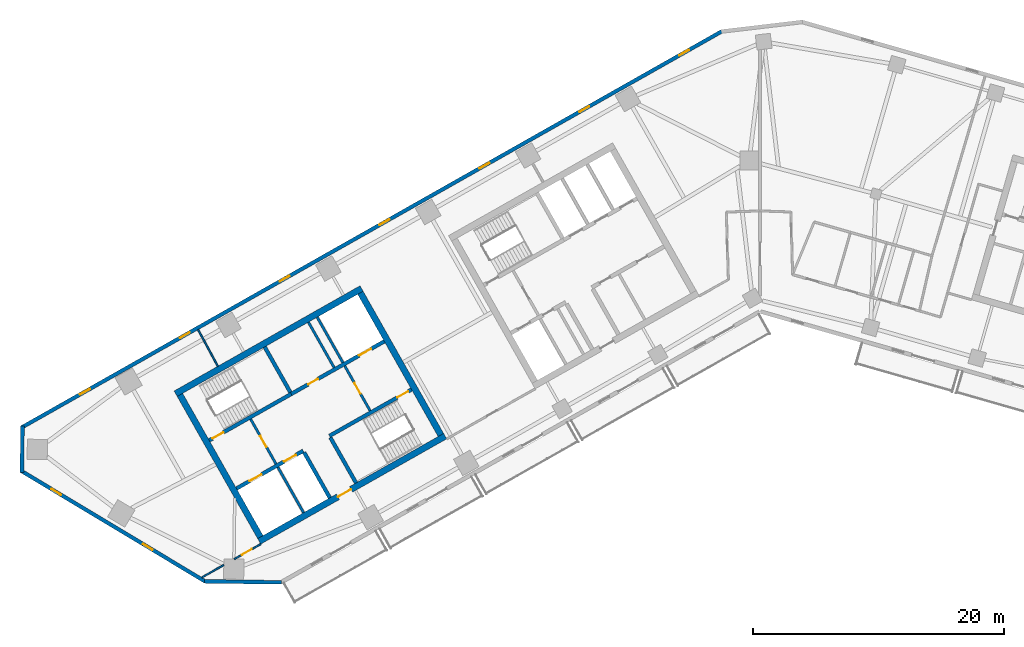
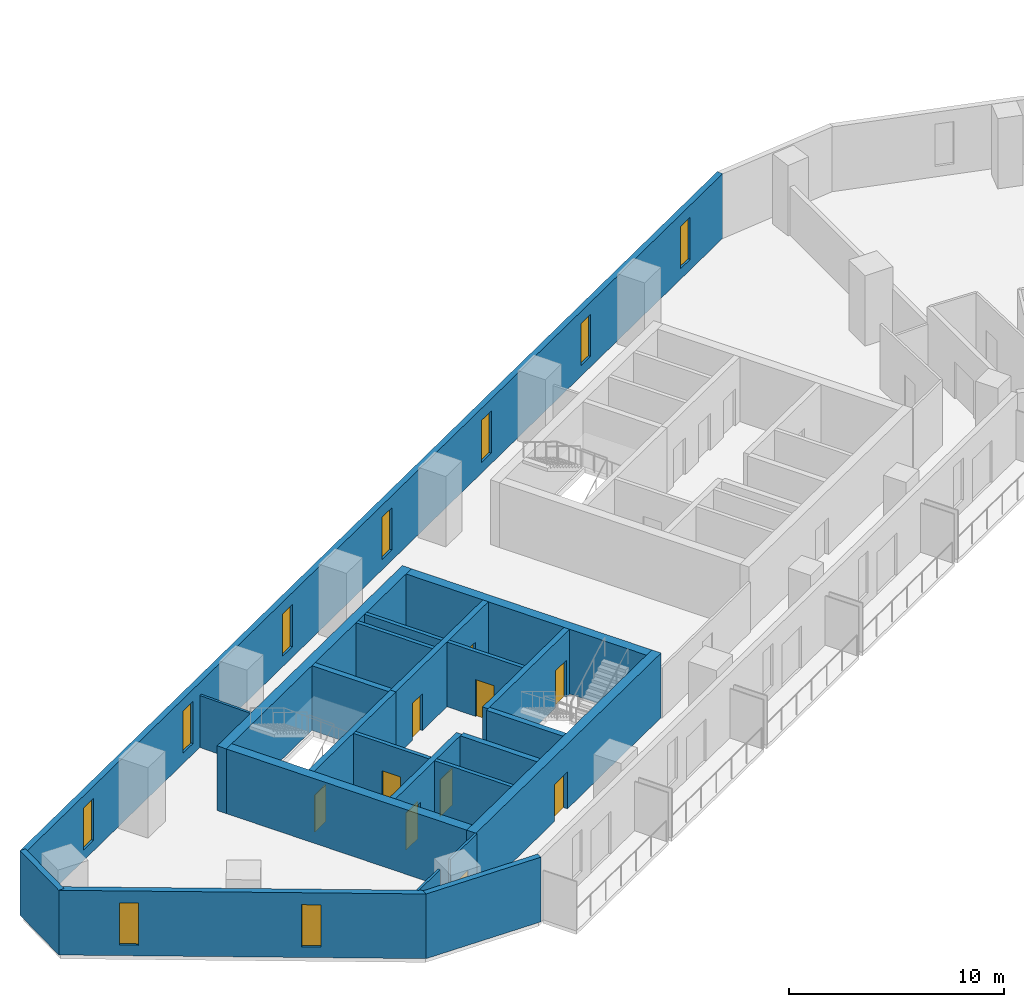
# One storey, part 3 of 9: 23 walls, 10 doors, 9 windows, 19 openings.
"""IFC4 building model written with IfcOpenShell, lengths in metres."""

from ifc_helpers import new_model, si_unit, direction, frame, frame_2d, origin, place, context, subcontext, project, spatial, rectangle, extrude, material, layer, layer_set, type_object, element, fill, save


model = new_model("IFC4")

# Units and contexts
model_context = context("Model", 3, precision=1e-05, world=origin(), true_north=direction((0.0, 1.0)))
body_context = subcontext(model_context, "Body", "Model", "MODEL_VIEW")
ifc_project = project(units=[si_unit("LENGTHUNIT", "METRE"), si_unit("AREAUNIT", "SQUARE_METRE"), si_unit("VOLUMEUNIT", "CUBIC_METRE"), si_unit("PLANEANGLEUNIT", "RADIAN"), si_unit("MASSUNIT", "GRAM", prefix="KILO")], contexts=[model_context])

# Site, building, storey
site_placement = place(None, origin())
site = spatial("IfcSite", under=ifc_project, at=site_placement, CompositionType="ELEMENT")
building_placement = place(site_placement, origin())
building = spatial("IfcBuilding", under=site, at=building_placement, Name="Binnacle Exchange Tower", CompositionType="ELEMENT")
storey_placement = place(building_placement, frame((0.0, 0.0, 166.89990234375)))
storey = spatial("IfcBuildingStorey", under=building, at=storey_placement, Name="L35", CompositionType="ELEMENT", Elevation=166.89990234375)

# Wall, openings, doors
ifc_material_1 = material(Name="Concrete C70/85", Category="concrete")
ifc_layer_1 = layer(ifc_material_1, 0.300048828125)
ifc_layer_set_1 = layer_set([ifc_layer_1], Name="Core wall - front 300")
wall_type_1 = type_object("IfcWallType", Name="Core wall - front 300", PredefinedType="SOLIDWALL", material=ifc_layer_set_1)
wall_1_placement = place(storey_placement, frame((-41.64306640625, 33.91162109375, 0.0), z_axis=(0.0, 0.0, 1.0), x_axis=(0.870343599782, 0.492444939378, 0.0)))
wall_1 = element("IfcWall", 1, at=wall_1_placement, inside=storey, type_object=wall_type_1, Name="Core wall CRWA2", PredefinedType="SOLIDWALL", context=body_context, shape_type="SweptSolid", body=[
    extrude(rectangle(XDim=6.10009765625, YDim=0.300048828125, at=frame_2d((3.050048828125, 0.0))), origin(), (0.0, 0.0, 1.0), 3.68017578125),
])
opening_1_placement = place(wall_1_placement, frame((1.199951171875, 0.0, 0.0)))
opening_1 = element("IfcOpeningElement", 2, at=opening_1_placement, cuts=wall_1, Name="Opening LD12", PredefinedType="OPENING", context=body_context, shape_type="SweptSolid", body=[
    extrude(rectangle(XDim=1.10009765625, YDim=2.10009765625, at=frame_2d((0.550048828125, 1.050048828125))), frame((0.0, 0.159912109375, 0.0), z_axis=(0.0, -1.0, 0.0), x_axis=(1.0, 0.0, 0.0)), (0.0, 0.0, 1.0), 0.320068359375),
])
opening_2_placement = place(wall_1_placement, frame((4.35009765625, 0.0, 0.0)))
opening_2 = element("IfcOpeningElement", 3, at=opening_2_placement, cuts=wall_1, Name="Opening LD8", PredefinedType="OPENING", context=body_context, shape_type="SweptSolid", body=[
    extrude(rectangle(XDim=1.10009765625, YDim=2.10009765625, at=frame_2d((0.550048828125, 1.050048828125))), frame((0.0, 0.159912109375, 0.0), z_axis=(0.0, -1.0, 0.0), x_axis=(1.0, 0.0, 0.0)), (0.0, 0.0, 1.0), 0.320068359375),
])
ifc_material_2 = material(Name="Steel door leaf", Category="steel")
door_type_1 = type_object("IfcDoorType", Name="Fire door - lift landing 1100", OperationType="NOTDEFINED", PredefinedType="DOOR", material=ifc_material_2)
door_1_placement = place(opening_1_placement, origin())
door_1 = element("IfcDoor", 4, at=door_1_placement, inside=storey, type_object=door_type_1, Name="Landing door LD12 L35", OperationType="DOUBLE_DOOR_SLIDING", OverallHeight=2.10009765625, OverallWidth=1.10009765625, PredefinedType="DOOR", context=body_context, shape_type="SweptSolid", body=[
    extrude(rectangle(XDim=1.10009765625, YDim=2.10009765625, at=frame_2d((0.550048828125, 1.050048828125))), frame((0.0, 0.02490234375, 0.0), z_axis=(0.0, -1.0, 0.0), x_axis=(1.0, 0.0, 0.0)), (0.0, 0.0, 1.0), 0.050048828125),
])
fill(opening_1, door_1)
door_2_placement = place(opening_2_placement, origin())
door_2 = element("IfcDoor", 5, at=door_2_placement, inside=storey, type_object=door_type_1, Name="Landing door LD8 L35", OperationType="DOUBLE_DOOR_SLIDING", OverallHeight=2.10009765625, OverallWidth=1.10009765625, PredefinedType="DOOR", context=body_context, shape_type="SweptSolid", body=[
    extrude(rectangle(XDim=1.10009765625, YDim=2.10009765625, at=frame_2d((0.550048828125, 1.050048828125))), frame((0.0, 0.02490234375, 0.0), z_axis=(0.0, -1.0, 0.0), x_axis=(1.0, 0.0, 0.0)), (0.0, 0.0, 1.0), 0.050048828125),
])
fill(opening_2, door_2)

wall_2_placement = place(storey_placement, frame((-37.281982421875, 41.4345703125, 0.0), z_axis=(0.0, 0.0, 1.0), x_axis=(0.870356271124, 0.492422543467, 0.0)))
wall_2 = element("IfcWall", 6, at=wall_2_placement, inside=storey, type_object=wall_type_1, Name="Core wall CRWA5", PredefinedType="SOLIDWALL", context=body_context, shape_type="SweptSolid", body=[
    extrude(rectangle(XDim=8.5, YDim=0.300048828125, at=frame_2d((4.25, 0.0))), origin(), (0.0, 0.0, 1.0), 3.68017578125),
])
opening_3_placement = place(wall_2_placement, frame((6.199951171875, 0.0, 0.0)))
opening_3 = element("IfcOpeningElement", 7, at=opening_3_placement, cuts=wall_2, Name="Opening LD13", PredefinedType="OPENING", context=body_context, shape_type="SweptSolid", body=[
    extrude(rectangle(XDim=1.10009765625, YDim=2.10009765625, at=frame_2d((0.550048828125, 1.050048828125))), frame((0.0, 0.159912109375, 0.0), z_axis=(0.0, -1.0, 0.0), x_axis=(1.0, 0.0, 0.0)), (0.0, 0.0, 1.0), 0.320068359375),
])
opening_4_placement = place(wall_2_placement, frame((1.550048828125, 0.0, 0.0)))
opening_4 = element("IfcOpeningElement", 8, at=opening_4_placement, cuts=wall_2, Name="Opening DA10", PredefinedType="OPENING", context=body_context, shape_type="SweptSolid", body=[
    extrude(rectangle(XDim=0.89990234375, YDim=2.10009765625, at=frame_2d((0.449951171875, 1.050048828125))), frame((0.0, 0.159912109375, 0.0), z_axis=(0.0, -1.0, 0.0), x_axis=(1.0, 0.0, 0.0)), (0.0, 0.0, 1.0), 0.320068359375),
])
door_3_placement = place(opening_3_placement, origin())
door_3 = element("IfcDoor", 9, at=door_3_placement, inside=storey, type_object=door_type_1, Name="Landing door LD13 L35", OperationType="DOUBLE_DOOR_SLIDING", OverallHeight=2.10009765625, OverallWidth=1.10009765625, PredefinedType="DOOR", context=body_context, shape_type="SweptSolid", body=[
    extrude(rectangle(XDim=1.10009765625, YDim=2.10009765625, at=frame_2d((0.550048828125, 1.050048828125))), frame((0.0, 0.02490234375, 0.0), z_axis=(0.0, -1.0, 0.0), x_axis=(1.0, 0.0, 0.0)), (0.0, 0.0, 1.0), 0.050048828125),
])
fill(opening_3, door_3)
door_type_2 = type_object("IfcDoorType", Name="Fire door 900", OperationType="NOTDEFINED", PredefinedType="DOOR", material=ifc_material_2)
door_4_placement = place(opening_4_placement, origin())
door_4 = element("IfcDoor", 10, at=door_4_placement, inside=storey, type_object=door_type_2, Name="Core room door EQUIPMENT STORE", OperationType="SINGLE_SWING_LEFT", OverallHeight=2.10009765625, OverallWidth=0.89990234375, PredefinedType="DOOR", context=body_context, shape_type="SweptSolid", body=[
    extrude(rectangle(XDim=0.89990234375, YDim=2.10009765625, at=frame_2d((0.449951171875, 1.050048828125))), frame((0.0, 0.02490234375, 0.0), z_axis=(0.0, -1.0, 0.0), x_axis=(1.0, 0.0, 0.0)), (0.0, 0.0, 1.0), 0.050048828125),
])
fill(opening_4, door_4)

# Wall
wall_3_placement = place(storey_placement, frame((-36.260009765625, 36.784912109375, 0.0), z_axis=(0.0, 0.0, 1.0), x_axis=(0.492421666909, -0.870356767055, 0.0)))
element("IfcWall", 11, at=wall_3_placement, inside=storey, type_object=wall_type_1, Name="Core wall CRWA13", PredefinedType="SOLIDWALL", context=body_context, shape_type="SweptSolid", body=[
    extrude(rectangle(XDim=4.14990234375, YDim=0.300048828125, at=frame_2d((2.074951171875, 0.0))), origin(), (0.0, 0.0, 1.0), 3.68017578125),
])

# Wall, opening, door
ifc_layer_2 = layer(ifc_material_1, 0.5)
ifc_layer_set_2 = layer_set([ifc_layer_2], Name="Core wall - outer 500")
wall_type_2 = type_object("IfcWallType", Name="Core wall - outer 500", PredefinedType="SOLIDWALL", material=ifc_layer_set_2)
wall_4_placement = place(storey_placement, frame((-39.837646484375, 29.705322265625, 0.0), z_axis=(0.0, 0.0, 1.0), x_axis=(0.870350116061, 0.492433422375, 0.0)))
wall_4 = element("IfcWall", 12, at=wall_4_placement, inside=storey, type_object=wall_type_2, Name="Core wall CRWA1", PredefinedType="SOLIDWALL", context=body_context, shape_type="SweptSolid", body=[
    extrude(rectangle(XDim=17.0, YDim=0.5, at=frame_2d((8.5, 0.0))), origin(), (0.0, 0.0, 1.0), 3.68017578125),
])
opening_5_placement = place(wall_4_placement, frame((7.199951171875, 0.0, 0.0)))
opening_5 = element("IfcOpeningElement", 13, at=opening_5_placement, cuts=wall_4, Name="Opening DA7", PredefinedType="OPENING", context=body_context, shape_type="SweptSolid", body=[
    extrude(rectangle(XDim=1.199951171875, YDim=2.10009765625, at=frame_2d((0.60009765625, 1.050048828125))), frame((0.0, 0.260009765625, 0.0), z_axis=(0.0, -1.0, 0.0), x_axis=(1.0, 0.0, 0.0)), (0.0, 0.0, 1.0), 0.52001953125),
])
door_type_3 = type_object("IfcDoorType", Name="Fire door 1200", OperationType="NOTDEFINED", PredefinedType="DOOR", material=ifc_material_2)
door_5_placement = place(opening_5_placement, frame((1.199951171875, 0.0, 0.0), z_axis=(0.0, 0.0, 1.0), x_axis=(-1.0, 0.0, 0.0)))
door_5 = element("IfcDoor", 14, at=door_5_placement, inside=storey, type_object=door_type_3, Name="Lift lobby entrance door core A", OperationType="SINGLE_SWING_RIGHT", OverallHeight=2.10009765625, OverallWidth=1.199951171875, PredefinedType="DOOR", context=body_context, shape_type="SweptSolid", body=[
    extrude(rectangle(XDim=1.199951171875, YDim=2.10009765625, at=frame_2d((0.60009765625, 1.050048828125))), frame((0.0, 0.02490234375, 0.0), z_axis=(0.0, -1.0, 0.0), x_axis=(1.0, 0.0, 0.0)), (0.0, 0.0, 1.0), 0.050048828125),
])
fill(opening_5, door_5)

# Walls
wall_5_placement = place(storey_placement, frame((-46.485595703125, 41.455078125, 0.0), z_axis=(0.0, 0.0, 1.0), x_axis=(0.870353598469, 0.492427267353, 0.0)))
element("IfcWall", 15, at=wall_5_placement, inside=storey, type_object=wall_type_2, Name="Core wall CRWA6", PredefinedType="SOLIDWALL", context=body_context, shape_type="SweptSolid", body=[
    extrude(rectangle(XDim=17.000244140625, YDim=0.5, at=frame_2d((8.5, 0.0))), origin(), (0.0, 0.0, 1.0), 3.68017578125),
])
for number, where, z_axis, x_axis, name in (
    (16, (-46.144775390625, 41.360595703125, 0.0), (0.0, 0.0, 1.0), (0.492435316254, -0.870349044525, 0.0), "Core wall CRWA7"),
    (17, (-31.783935546875, 49.485595703125, 0.0), (0.0, 0.0, 1.0), (0.492435316254, -0.870349044525, 0.0), "Core wall CRWA22"),
):
    element("IfcWall", number, at=place(storey_placement, frame(where, z_axis=z_axis, x_axis=x_axis)), inside=storey, type_object=wall_type_2, Name=name, PredefinedType="SOLIDWALL", context=body_context, shape_type="SweptSolid", body=[
        extrude(rectangle(XDim=13.0, YDim=0.5, at=frame_2d((6.5, 0.0))), origin(), (0.0, 0.0, 1.0), 3.68017578125),
    ])

# Wall, opening, door
ifc_layer_3 = layer(ifc_material_1, 0.300048828125)
ifc_layer_set_3 = layer_set([ifc_layer_3], Name="Core wall - stair 300")
wall_type_3 = type_object("IfcWallType", Name="Core wall - stair 300", PredefinedType="SOLIDWALL", material=ifc_layer_set_3)
wall_6_placement = place(storey_placement, frame((-34.2451171875, 38.097412109375, 0.0), z_axis=(0.0, 0.0, 1.0), x_axis=(0.870364520461, 0.492407962489, 0.0)))
wall_6 = element("IfcWall", 18, at=wall_6_placement, inside=storey, type_object=wall_type_3, Name="Core wall CRWA3", PredefinedType="SOLIDWALL", context=body_context, shape_type="SweptSolid", body=[
    extrude(rectangle(XDim=7.5, YDim=0.300048828125, at=frame_2d((3.75, 0.0))), origin(), (0.0, 0.0, 1.0), 3.68017578125),
])
opening_6_placement = place(wall_6_placement, frame((6.199951171875, 0.0, 0.0)))
opening_6 = element("IfcOpeningElement", 19, at=opening_6_placement, cuts=wall_6, Name="Opening DA2", PredefinedType="OPENING", context=body_context, shape_type="SweptSolid", body=[
    extrude(rectangle(XDim=1.0, YDim=2.10009765625, at=frame_2d((0.5, 1.050048828125))), frame((0.0, 0.159912109375, 0.0), z_axis=(0.0, -1.0, 0.0), x_axis=(1.0, 0.0, 0.0)), (0.0, 0.0, 1.0), 0.320068359375),
])
door_type_4 = type_object("IfcDoorType", Name="Fire door 1000", OperationType="NOTDEFINED", PredefinedType="DOOR", material=ifc_material_2)
door_6_placement = place(opening_6_placement, frame((1.0, 0.0, 0.0), z_axis=(0.0, 0.0, 1.0), x_axis=(-1.0, 0.0, 0.0)))
door_6 = element("IfcDoor", 20, at=door_6_placement, inside=storey, type_object=door_type_4, Name="Stair door ST-A2", OperationType="SINGLE_SWING_LEFT", OverallHeight=2.10009765625, OverallWidth=1.0, PredefinedType="DOOR", context=body_context, shape_type="SweptSolid", body=[
    extrude(rectangle(XDim=1.0, YDim=2.10009765625, at=frame_2d((0.5, 1.050048828125))), frame((0.0, 0.02490234375, 0.0), z_axis=(0.0, -1.0, 0.0), x_axis=(1.0, 0.0, 0.0)), (0.0, 0.0, 1.0), 0.050048828125),
])
fill(opening_6, door_6)

wall_7_placement = place(storey_placement, frame((-43.809814453125, 37.7412109375, 0.0), z_axis=(0.0, 0.0, 1.0), x_axis=(0.870350569555, 0.492432620848, 0.0)))
wall_7 = element("IfcWall", 21, at=wall_7_placement, inside=storey, type_object=wall_type_3, Name="Core wall CRWA4", PredefinedType="SOLIDWALL", context=body_context, shape_type="SweptSolid", body=[
    extrude(rectangle(XDim=7.500244140625, YDim=0.300048828125, at=frame_2d((3.75, 0.0))), origin(), (0.0, 0.0, 1.0), 3.68017578125),
])
opening_7_placement = place(wall_7_placement, frame((0.2998046875, 0.0, 0.0)))
opening_7 = element("IfcOpeningElement", 22, at=opening_7_placement, cuts=wall_7, Name="Opening DA1", PredefinedType="OPENING", context=body_context, shape_type="SweptSolid", body=[
    extrude(rectangle(XDim=1.0, YDim=2.10009765625, at=frame_2d((0.5, 1.050048828125))), frame((0.0, 0.159912109375, 0.0), z_axis=(0.0, -1.0, 0.0), x_axis=(1.0, 0.0, 0.0)), (0.0, 0.0, 1.0), 0.320068359375),
])
door_7_placement = place(opening_7_placement, origin())
door_7 = element("IfcDoor", 23, at=door_7_placement, inside=storey, type_object=door_type_4, Name="Stair door ST-A1", OperationType="SINGLE_SWING_LEFT", OverallHeight=2.10009765625, OverallWidth=1.0, PredefinedType="DOOR", context=body_context, shape_type="SweptSolid", body=[
    extrude(rectangle(XDim=1.0, YDim=2.10009765625, at=frame_2d((0.5, 1.050048828125))), frame((0.0, 0.02490234375, 0.0), z_axis=(0.0, -1.0, 0.0), x_axis=(1.0, 0.0, 0.0)), (0.0, 0.0, 1.0), 0.050048828125),
])
fill(opening_7, door_7)

# Walls
for number, where, z_axis, x_axis, name in (
    (24, (-39.3994140625, 45.177001953125, 0.0), (0.0, 0.0, 1.0), (0.492396453737, -0.870371031427, 0.0), "Core wall CRWA14"),
    (25, (-34.171142578125, 37.966796875, 0.0), (0.0, 0.0, 1.0), (0.492396453737, -0.870371031427, 0.0), "Core wall CRWA16"),
):
    element("IfcWall", number, at=place(storey_placement, frame(where, z_axis=z_axis, x_axis=x_axis)), inside=storey, type_object=wall_type_3, Name=name, PredefinedType="SOLIDWALL", context=body_context, shape_type="SweptSolid", body=[
        extrude(rectangle(XDim=4.14990234375, YDim=0.300048828125, at=frame_2d((2.074951171875, 0.0))), origin(), (0.0, 0.0, 1.0), 3.68017578125),
    ])
ifc_material_3 = material(Name="Bronze aluminium cladding", Category="aluminium")
ifc_layer_4 = layer(ifc_material_3, 0.300048828125)
ifc_layer_set_4 = layer_set([ifc_layer_4], Name="External wall - spandrel 300")
wall_type_4 = type_object("IfcWallType", Name="External wall - spandrel 300", PredefinedType="STANDARD", material=ifc_layer_set_4)
wall_8_placement = place(storey_placement, frame((-38.057373046875, 26.44482421875, 0.0), z_axis=(0.0, 0.0, 1.0), x_axis=(-0.999914086342, 0.013108010296, 0.0)))
element("IfcWall", 26, at=wall_8_placement, inside=storey, type_object=wall_type_4, Name="External wall EW-G00 L35", PredefinedType="STANDARD", context=body_context, shape_type="SweptSolid", body=[
    extrude(rectangle(XDim=6.127685546875, YDim=0.300048828125, at=frame_2d((3.06396484375, 0.0))), origin(), (0.0, 0.0, 1.0), 3.68017578125),
])

# Wall, openings, windows
wall_9_placement = place(storey_placement, frame((-58.744873046875, 38.763671875, 0.0), z_axis=(0.0, 0.0, 1.0), x_axis=(0.870355811726, 0.492423355453, 0.0)))
wall_9 = element("IfcWall", 27, at=wall_9_placement, inside=storey, type_object=wall_type_4, Name="External wall EW-G08 L35", PredefinedType="STANDARD", context=body_context, shape_type="SweptSolid", body=[
    extrude(rectangle(XDim=64.025390625, YDim=0.300048828125, at=frame_2d((32.0126953125, 0.0))), origin(), (0.0, 0.0, 1.0), 3.68017578125),
])
opening_8_placement = place(wall_9_placement, frame((60.12158203125, 0.0, 0.60009765625)))
opening_8 = element("IfcOpeningElement", 28, at=opening_8_placement, cuts=wall_9, Name="Opening WS3", PredefinedType="OPENING", context=body_context, shape_type="SweptSolid", body=[
    extrude(rectangle(XDim=0.89990234375, YDim=2.39990234375, at=frame_2d((0.449951171875, 1.199951171875))), frame((0.0, 0.159912109375, 0.0), z_axis=(0.0, -1.0, 0.0), x_axis=(1.0, 0.0, 0.0)), (0.0, 0.0, 1.0), 0.320068359375),
])
opening_9_placement = place(wall_9_placement, frame((50.99169921875, 0.0, 0.60009765625)))
opening_9 = element("IfcOpeningElement", 29, at=opening_9_placement, cuts=wall_9, Name="Opening WS3", PredefinedType="OPENING", context=body_context, shape_type="SweptSolid", body=[
    extrude(rectangle(XDim=0.89990234375, YDim=2.39990234375, at=frame_2d((0.449951171875, 1.199951171875))), frame((0.0, 0.159912109375, 0.0), z_axis=(0.0, -1.0, 0.0), x_axis=(1.0, 0.0, 0.0)), (0.0, 0.0, 1.0), 0.320068359375),
])
opening_10_placement = place(wall_9_placement, frame((41.86181640625, 0.0, 0.60009765625)))
opening_10 = element("IfcOpeningElement", 30, at=opening_10_placement, cuts=wall_9, Name="Opening WS3", PredefinedType="OPENING", context=body_context, shape_type="SweptSolid", body=[
    extrude(rectangle(XDim=0.89990234375, YDim=2.39990234375, at=frame_2d((0.449951171875, 1.199951171875))), frame((0.0, 0.159912109375, 0.0), z_axis=(0.0, -1.0, 0.0), x_axis=(1.0, 0.0, 0.0)), (0.0, 0.0, 1.0), 0.320068359375),
])
opening_11_placement = place(wall_9_placement, frame((32.73193359375, 0.0, 0.60009765625)))
opening_11 = element("IfcOpeningElement", 31, at=opening_11_placement, cuts=wall_9, Name="Opening WS3", PredefinedType="OPENING", context=body_context, shape_type="SweptSolid", body=[
    extrude(rectangle(XDim=0.89990234375, YDim=2.39990234375, at=frame_2d((0.449951171875, 1.199951171875))), frame((0.0, 0.159912109375, 0.0), z_axis=(0.0, -1.0, 0.0), x_axis=(1.0, 0.0, 0.0)), (0.0, 0.0, 1.0), 0.320068359375),
])
opening_12_placement = place(wall_9_placement, frame((23.60205078125, 0.0, 0.60009765625)))
opening_12 = element("IfcOpeningElement", 32, at=opening_12_placement, cuts=wall_9, Name="Opening WS3", PredefinedType="OPENING", context=body_context, shape_type="SweptSolid", body=[
    extrude(rectangle(XDim=0.89990234375, YDim=2.39990234375, at=frame_2d((0.449951171875, 1.199951171875))), frame((0.0, 0.159912109375, 0.0), z_axis=(0.0, -1.0, 0.0), x_axis=(1.0, 0.0, 0.0)), (0.0, 0.0, 1.0), 0.320068359375),
])
opening_13_placement = place(wall_9_placement, frame((14.47216796875, 0.0, 0.60009765625)))
opening_13 = element("IfcOpeningElement", 33, at=opening_13_placement, cuts=wall_9, Name="Opening WS3", PredefinedType="OPENING", context=body_context, shape_type="SweptSolid", body=[
    extrude(rectangle(XDim=0.89990234375, YDim=2.39990234375, at=frame_2d((0.449951171875, 1.199951171875))), frame((0.0, 0.159912109375, 0.0), z_axis=(0.0, -1.0, 0.0), x_axis=(1.0, 0.0, 0.0)), (0.0, 0.0, 1.0), 0.320068359375),
])
opening_14_placement = place(wall_9_placement, frame((5.34228515625, 0.0, 0.60009765625)))
opening_14 = element("IfcOpeningElement", 34, at=opening_14_placement, cuts=wall_9, Name="Opening WS3", PredefinedType="OPENING", context=body_context, shape_type="SweptSolid", body=[
    extrude(rectangle(XDim=0.89990234375, YDim=2.39990234375, at=frame_2d((0.449951171875, 1.199951171875))), frame((0.0, 0.159912109375, 0.0), z_axis=(0.0, -1.0, 0.0), x_axis=(1.0, 0.0, 0.0)), (0.0, 0.0, 1.0), 0.320068359375),
])
ifc_material_4 = material(Name="Bronze anodised aluminium frame", Category="aluminium")
window_type = type_object("IfcWindowType", Name="WS3 WINDOW 900x2400", PartitioningType="SINGLE_PANEL", PredefinedType="WINDOW", material=ifc_material_4)
window_1_placement = place(opening_8_placement, origin())
window_1 = element("IfcWindow", 35, at=window_1_placement, inside=storey, type_object=window_type, Name="Window WS3 L35", OverallHeight=2.39990234375, OverallWidth=0.89990234375, PartitioningType="SINGLE_PANEL", PredefinedType="WINDOW", context=body_context, shape_type="SweptSolid", body=[
    extrude(rectangle(XDim=0.89990234375, YDim=2.39990234375, at=frame_2d((0.449951171875, 1.199951171875))), frame((0.0, 0.030029296875, 0.0), z_axis=(0.0, -1.0, 0.0), x_axis=(1.0, 0.0, 0.0)), (0.0, 0.0, 1.0), 0.06005859375),
])
fill(opening_8, window_1)
window_2_placement = place(opening_9_placement, origin())
window_2 = element("IfcWindow", 36, at=window_2_placement, inside=storey, type_object=window_type, Name="Window WS3 L35", OverallHeight=2.39990234375, OverallWidth=0.89990234375, PartitioningType="SINGLE_PANEL", PredefinedType="WINDOW", context=body_context, shape_type="SweptSolid", body=[
    extrude(rectangle(XDim=0.89990234375, YDim=2.39990234375, at=frame_2d((0.449951171875, 1.199951171875))), frame((0.0, 0.030029296875, 0.0), z_axis=(0.0, -1.0, 0.0), x_axis=(1.0, 0.0, 0.0)), (0.0, 0.0, 1.0), 0.06005859375),
])
fill(opening_9, window_2)
window_3_placement = place(opening_10_placement, origin())
window_3 = element("IfcWindow", 37, at=window_3_placement, inside=storey, type_object=window_type, Name="Window WS3 L35", OverallHeight=2.39990234375, OverallWidth=0.89990234375, PartitioningType="SINGLE_PANEL", PredefinedType="WINDOW", context=body_context, shape_type="SweptSolid", body=[
    extrude(rectangle(XDim=0.89990234375, YDim=2.39990234375, at=frame_2d((0.449951171875, 1.199951171875))), frame((0.0, 0.030029296875, 0.0), z_axis=(0.0, -1.0, 0.0), x_axis=(1.0, 0.0, 0.0)), (0.0, 0.0, 1.0), 0.06005859375),
])
fill(opening_10, window_3)
window_4_placement = place(opening_11_placement, origin())
window_4 = element("IfcWindow", 38, at=window_4_placement, inside=storey, type_object=window_type, Name="Window WS3 L35", OverallHeight=2.39990234375, OverallWidth=0.89990234375, PartitioningType="SINGLE_PANEL", PredefinedType="WINDOW", context=body_context, shape_type="SweptSolid", body=[
    extrude(rectangle(XDim=0.89990234375, YDim=2.39990234375, at=frame_2d((0.449951171875, 1.199951171875))), frame((0.0, 0.030029296875, 0.0), z_axis=(0.0, -1.0, 0.0), x_axis=(1.0, 0.0, 0.0)), (0.0, 0.0, 1.0), 0.06005859375),
])
fill(opening_11, window_4)
window_5_placement = place(opening_12_placement, origin())
window_5 = element("IfcWindow", 39, at=window_5_placement, inside=storey, type_object=window_type, Name="Window WS3 L35", OverallHeight=2.39990234375, OverallWidth=0.89990234375, PartitioningType="SINGLE_PANEL", PredefinedType="WINDOW", context=body_context, shape_type="SweptSolid", body=[
    extrude(rectangle(XDim=0.89990234375, YDim=2.39990234375, at=frame_2d((0.449951171875, 1.199951171875))), frame((0.0, 0.030029296875, 0.0), z_axis=(0.0, -1.0, 0.0), x_axis=(1.0, 0.0, 0.0)), (0.0, 0.0, 1.0), 0.06005859375),
])
fill(opening_12, window_5)
window_6_placement = place(opening_13_placement, origin())
window_6 = element("IfcWindow", 40, at=window_6_placement, inside=storey, type_object=window_type, Name="Window WS3 L35", OverallHeight=2.39990234375, OverallWidth=0.89990234375, PartitioningType="SINGLE_PANEL", PredefinedType="WINDOW", context=body_context, shape_type="SweptSolid", body=[
    extrude(rectangle(XDim=0.89990234375, YDim=2.39990234375, at=frame_2d((0.449951171875, 1.199951171875))), frame((0.0, 0.030029296875, 0.0), z_axis=(0.0, -1.0, 0.0), x_axis=(1.0, 0.0, 0.0)), (0.0, 0.0, 1.0), 0.06005859375),
])
fill(opening_13, window_6)
window_7_placement = place(opening_14_placement, origin())
window_7 = element("IfcWindow", 41, at=window_7_placement, inside=storey, type_object=window_type, Name="Window WS3 L35", OverallHeight=2.39990234375, OverallWidth=0.89990234375, PartitioningType="SINGLE_PANEL", PredefinedType="WINDOW", context=body_context, shape_type="SweptSolid", body=[
    extrude(rectangle(XDim=0.89990234375, YDim=2.39990234375, at=frame_2d((0.449951171875, 1.199951171875))), frame((0.0, 0.030029296875, 0.0), z_axis=(0.0, -1.0, 0.0), x_axis=(1.0, 0.0, 0.0)), (0.0, 0.0, 1.0), 0.06005859375),
])
fill(opening_14, window_7)

# Wall
wall_10_placement = place(storey_placement, frame((-58.717041015625, 35.19384765625, 0.0), z_axis=(0.0, 0.0, 1.0), x_axis=(0.013069053407, 0.999914596275, 0.0)))
element("IfcWall", 42, at=wall_10_placement, inside=storey, type_object=wall_type_4, Name="External wall EW-G09 L35", PredefinedType="STANDARD", context=body_context, shape_type="SweptSolid", body=[
    extrude(rectangle(XDim=3.69873046875, YDim=0.300048828125, at=frame_2d((1.849365234375, 0.0))), origin(), (0.0, 0.0, 1.0), 3.68017578125),
])

# Wall, openings, windows
wall_11_placement = place(storey_placement, frame((-44.109375, 26.503662109375, 0.0), z_axis=(0.0, 0.0, 1.0), x_axis=(-0.857169502585, 0.515034410344, 0.0)))
wall_11 = element("IfcWall", 43, at=wall_11_placement, inside=storey, type_object=wall_type_4, Name="External wall EW-G10 L35", PredefinedType="STANDARD", context=body_context, shape_type="SweptSolid", body=[
    extrude(rectangle(XDim=17.126708984375, YDim=0.300048828125, at=frame_2d((8.5634765625, 0.0))), origin(), (0.0, 0.0, 1.0), 3.68017578125),
])
opening_15_placement = place(wall_11_placement, frame((13.403076171875, 0.0, 0.60009765625)))
opening_15 = element("IfcOpeningElement", 44, at=opening_15_placement, cuts=wall_11, Name="Opening WS3", PredefinedType="OPENING", context=body_context, shape_type="SweptSolid", body=[
    extrude(rectangle(XDim=0.89990234375, YDim=2.39990234375, at=frame_2d((0.449951171875, 1.199951171875))), frame((0.0, 0.159912109375, 0.0), z_axis=(0.0, -1.0, 0.0), x_axis=(1.0, 0.0, 0.0)), (0.0, 0.0, 1.0), 0.320068359375),
])
opening_16_placement = place(wall_11_placement, frame((4.903076171875, 0.0, 0.60009765625)))
opening_16 = element("IfcOpeningElement", 45, at=opening_16_placement, cuts=wall_11, Name="Opening WS3", PredefinedType="OPENING", context=body_context, shape_type="SweptSolid", body=[
    extrude(rectangle(XDim=0.89990234375, YDim=2.39990234375, at=frame_2d((0.449951171875, 1.199951171875))), frame((0.0, 0.159912109375, 0.0), z_axis=(0.0, -1.0, 0.0), x_axis=(1.0, 0.0, 0.0)), (0.0, 0.0, 1.0), 0.320068359375),
])
window_8_placement = place(opening_15_placement, origin())
window_8 = element("IfcWindow", 46, at=window_8_placement, inside=storey, type_object=window_type, Name="Window WS3 L35", OverallHeight=2.39990234375, OverallWidth=0.89990234375, PartitioningType="SINGLE_PANEL", PredefinedType="WINDOW", context=body_context, shape_type="SweptSolid", body=[
    extrude(rectangle(XDim=0.89990234375, YDim=2.39990234375, at=frame_2d((0.449951171875, 1.199951171875))), frame((0.0, 0.030029296875, 0.0), z_axis=(0.0, -1.0, 0.0), x_axis=(1.0, 0.0, 0.0)), (0.0, 0.0, 1.0), 0.06005859375),
])
fill(opening_15, window_8)
window_9_placement = place(opening_16_placement, origin())
window_9 = element("IfcWindow", 47, at=window_9_placement, inside=storey, type_object=window_type, Name="Window WS3 L35", OverallHeight=2.39990234375, OverallWidth=0.89990234375, PartitioningType="SINGLE_PANEL", PredefinedType="WINDOW", context=body_context, shape_type="SweptSolid", body=[
    extrude(rectangle(XDim=0.89990234375, YDim=2.39990234375, at=frame_2d((0.449951171875, 1.199951171875))), frame((0.0, 0.030029296875, 0.0), z_axis=(0.0, -1.0, 0.0), x_axis=(1.0, 0.0, 0.0)), (0.0, 0.0, 1.0), 0.06005859375),
])
fill(opening_16, window_9)

# Wall, opening, door
ifc_material_5 = material(Name="Masonry block wall", Category="masonry")
ifc_layer_5 = layer(ifc_material_5, 0.199951171875)
ifc_layer_set_5 = layer_set([ifc_layer_5], Name="Fire wall - vestibule 200")
wall_type_5 = type_object("IfcWallType", Name="Fire wall - vestibule 200", PredefinedType="PARTITIONING", material=ifc_layer_set_5)
wall_12_placement = place(storey_placement, frame((-40.515625, 39.4326171875, 0.0), z_axis=(0.0, 0.0, 1.0), x_axis=(0.492453559952, -0.87033872216, 0.0)))
wall_12 = element("IfcWall", 48, at=wall_12_placement, inside=storey, type_object=wall_type_5, Name="Core wall CRWA10", PredefinedType="PARTITIONING", context=body_context, shape_type="SweptSolid", body=[
    extrude(rectangle(XDim=4.099853515625, YDim=0.199951171875, at=frame_2d((2.0498046875, 0.0))), origin(), (0.0, 0.0, 1.0), 3.68017578125),
])
opening_17_placement = place(wall_12_placement, frame((1.550048828125, 0.0, 0.0)))
opening_17 = element("IfcOpeningElement", 49, at=opening_17_placement, cuts=wall_12, Name="Opening DA3", PredefinedType="OPENING", context=body_context, shape_type="SweptSolid", body=[
    extrude(rectangle(XDim=1.0, YDim=2.10009765625, at=frame_2d((0.5, 1.050048828125))), frame((0.0, 0.10986328125, 0.0), z_axis=(0.0, -1.0, 0.0), x_axis=(1.0, 0.0, 0.0)), (0.0, 0.0, 1.0), 0.219970703125),
])
door_8_placement = place(opening_17_placement, frame((1.0, 0.0, 0.0), z_axis=(0.0, 0.0, 1.0), x_axis=(-1.0, 0.0, 0.0)))
door_8 = element("IfcDoor", 50, at=door_8_placement, inside=storey, type_object=door_type_4, Name="Vestibule door VEST-W", OperationType="SINGLE_SWING_LEFT", OverallHeight=2.10009765625, OverallWidth=1.0, PredefinedType="DOOR", context=body_context, shape_type="SweptSolid", body=[
    extrude(rectangle(XDim=1.0, YDim=2.10009765625, at=frame_2d((0.5, 1.050048828125))), frame((0.0, 0.02490234375, 0.0), z_axis=(0.0, -1.0, 0.0), x_axis=(1.0, 0.0, 0.0)), (0.0, 0.0, 1.0), 0.050048828125),
])
fill(opening_17, door_8)

wall_13_placement = place(storey_placement, frame((-33.030517578125, 43.66748046875, 0.0), z_axis=(0.0, 0.0, 1.0), x_axis=(0.492408451753, -0.87036424366, 0.0)))
wall_13 = element("IfcWall", 51, at=wall_13_placement, inside=storey, type_object=wall_type_5, Name="Core wall CRWA19", PredefinedType="PARTITIONING", context=body_context, shape_type="SweptSolid", body=[
    extrude(rectangle(XDim=4.099853515625, YDim=0.199951171875, at=frame_2d((2.0498046875, 0.0))), origin(), (0.0, 0.0, 1.0), 3.68017578125),
])
opening_18_placement = place(wall_13_placement, frame((1.550048828125, 0.0, 0.0)))
opening_18 = element("IfcOpeningElement", 52, at=opening_18_placement, cuts=wall_13, Name="Opening DA4", PredefinedType="OPENING", context=body_context, shape_type="SweptSolid", body=[
    extrude(rectangle(XDim=1.0, YDim=2.10009765625, at=frame_2d((0.5, 1.050048828125))), frame((0.0, 0.10986328125, 0.0), z_axis=(0.0, -1.0, 0.0), x_axis=(1.0, 0.0, 0.0)), (0.0, 0.0, 1.0), 0.219970703125),
])
door_9_placement = place(opening_18_placement, origin())
door_9 = element("IfcDoor", 53, at=door_9_placement, inside=storey, type_object=door_type_4, Name="Vestibule door VEST-E", OperationType="SINGLE_SWING_RIGHT", OverallHeight=2.10009765625, OverallWidth=1.0, PredefinedType="DOOR", context=body_context, shape_type="SweptSolid", body=[
    extrude(rectangle(XDim=1.0, YDim=2.10009765625, at=frame_2d((0.5, 1.050048828125))), frame((0.0, 0.02490234375, 0.0), z_axis=(0.0, -1.0, 0.0), x_axis=(1.0, 0.0, 0.0)), (0.0, 0.0, 1.0), 0.050048828125),
])
fill(opening_18, door_9)

# Walls
ifc_material_6 = material(Name="Gypsum partition")
ifc_layer_6 = layer(ifc_material_6, 0.125)
ifc_layer_set_6 = layer_set([ifc_layer_6], Name="Partition 125")
wall_type_6 = type_object("IfcWallType", Name="Partition 125", PredefinedType="PARTITIONING", material=ifc_layer_set_6)
wall_14_placement = place(storey_placement, frame((-44.693115234375, 46.5419921875, 0.0), z_axis=(0.0, 0.0, 1.0), x_axis=(0.475199384016, -0.879878142376, 0.0)))
element("IfcWall", 54, at=wall_14_placement, inside=storey, type_object=wall_type_6, Name="Partition W01", PredefinedType="PARTITIONING", context=body_context, shape_type="SweptSolid", body=[
    extrude(rectangle(XDim=3.2958984375, YDim=0.125, at=frame_2d((1.64794921875, 0.0))), origin(), (0.0, 0.0, 1.0), 2.960205078125),
])
wall_15_placement = place(storey_placement, frame((-44.385986328125, 26.844970703125, 0.0), z_axis=(0.0, 0.0, 1.0), x_axis=(0.870453184796, 0.492251209322, 0.0)))
element("IfcWall", 55, at=wall_15_placement, inside=storey, type_object=wall_type_6, Name="Partition W02", PredefinedType="PARTITIONING", context=body_context, shape_type="SweptSolid", body=[
    extrude(rectangle(XDim=1.99072265625, YDim=0.125, at=frame_2d((0.995361328125, 0.0))), origin(), (0.0, 0.0, 1.0), 3.68017578125),
])

# Wall, opening, door
wall_16_placement = place(storey_placement, frame((-41.823974609375, 28.2939453125, 0.0), z_axis=(0.0, 0.0, 1.0), x_axis=(0.870189216305, 0.492717695873, 0.0)))
wall_16 = element("IfcWall", 56, at=wall_16_placement, inside=storey, type_object=wall_type_6, Name="Partition W03", PredefinedType="PARTITIONING", context=body_context, shape_type="SweptSolid", body=[
    extrude(rectangle(XDim=2.423583984375, YDim=0.125, at=frame_2d((1.2119140625, 0.0))), origin(), (0.0, 0.0, 1.0), 3.68017578125),
])
opening_19_placement = place(wall_16_placement, frame((0.699951171875, 0.0, 0.0)))
opening_19 = element("IfcOpeningElement", 57, at=opening_19_placement, cuts=wall_16, Name="Opening DL35-01", PredefinedType="OPENING", context=body_context, shape_type="SweptSolid", body=[
    extrude(rectangle(XDim=0.89990234375, YDim=2.10009765625, at=frame_2d((0.449951171875, 1.050048828125))), frame((0.0, 0.072509765625, 0.0), z_axis=(0.0, -1.0, 0.0), x_axis=(1.0, 0.0, 0.0)), (0.0, 0.0, 1.0), 0.14501953125),
])
ifc_material_7 = material(Name="Timber door leaf", Category="wood")
door_type_5 = type_object("IfcDoorType", Name="Door 900", OperationType="NOTDEFINED", PredefinedType="DOOR", material=ifc_material_7)
door_10_placement = place(opening_19_placement, origin())
door_10 = element("IfcDoor", 58, at=door_10_placement, inside=storey, type_object=door_type_5, Name="Door DL35-01", OperationType="SINGLE_SWING_LEFT", OverallHeight=2.10009765625, OverallWidth=0.89990234375, PredefinedType="DOOR", context=body_context, shape_type="SweptSolid", body=[
    extrude(rectangle(XDim=0.89990234375, YDim=2.10009765625, at=frame_2d((0.449951171875, 1.050048828125))), frame((0.0, 0.02490234375, 0.0), z_axis=(0.0, -1.0, 0.0), x_axis=(1.0, 0.0, 0.0)), (0.0, 0.0, 1.0), 0.050048828125),
])
fill(opening_19, door_10)

# Walls
ifc_layer_7 = layer(ifc_material_5, 0.199951171875)
ifc_layer_set_7 = layer_set([ifc_layer_7], Name="Riser wall 200")
wall_type_7 = type_object("IfcWallType", Name="Riser wall 200", PredefinedType="SOLIDWALL", material=ifc_layer_set_7)
wall_17_placement = place(storey_placement, frame((-35.918212890625, 47.146728515625, 0.0), z_axis=(0.0, 0.0, 1.0), x_axis=(0.492441017253, -0.870345818929, 0.0)))
element("IfcWall", 59, at=wall_17_placement, inside=storey, type_object=wall_type_7, Name="Core wall CRWA18", PredefinedType="SOLIDWALL", context=body_context, shape_type="SweptSolid", body=[
    extrude(rectangle(XDim=4.150146484375, YDim=0.199951171875, at=frame_2d((2.0751953125, 0.0))), origin(), (0.0, 0.0, 1.0), 3.68017578125),
])
wall_18_placement = place(storey_placement, frame((-35.2216796875, 47.54052734375, 0.0), z_axis=(0.0, 0.0, 1.0), x_axis=(0.492421666909, -0.870356767055, 0.0)))
element("IfcWall", 60, at=wall_18_placement, inside=storey, type_object=wall_type_7, Name="Core wall CRWA20", PredefinedType="SOLIDWALL", context=body_context, shape_type="SweptSolid", body=[
    extrude(rectangle(XDim=4.14990234375, YDim=0.199951171875, at=frame_2d((2.074951171875, 0.0))), origin(), (0.0, 0.0, 1.0), 3.68017578125),
])
ifc_layer_8 = layer(ifc_material_5, 0.199951171875)
ifc_layer_set_8 = layer_set([ifc_layer_8], Name="Shaft wall 200")
wall_type_8 = type_object("IfcWallType", Name="Shaft wall 200", PredefinedType="SOLIDWALL", material=ifc_layer_set_8)
wall_19_placement = place(storey_placement, frame((-38.348876953125, 35.603271484375, 0.0), z_axis=(0.0, 0.0, 1.0), x_axis=(0.492396453737, -0.870371031427, 0.0)))
element("IfcWall", 61, at=wall_19_placement, inside=storey, type_object=wall_type_8, Name="Core wall CRWA9", PredefinedType="SOLIDWALL", context=body_context, shape_type="SweptSolid", body=[
    extrude(rectangle(XDim=4.14990234375, YDim=0.199951171875, at=frame_2d((2.074951171875, 0.0))), origin(), (0.0, 0.0, 1.0), 3.68017578125),
])

save(model, "model.ifc")
